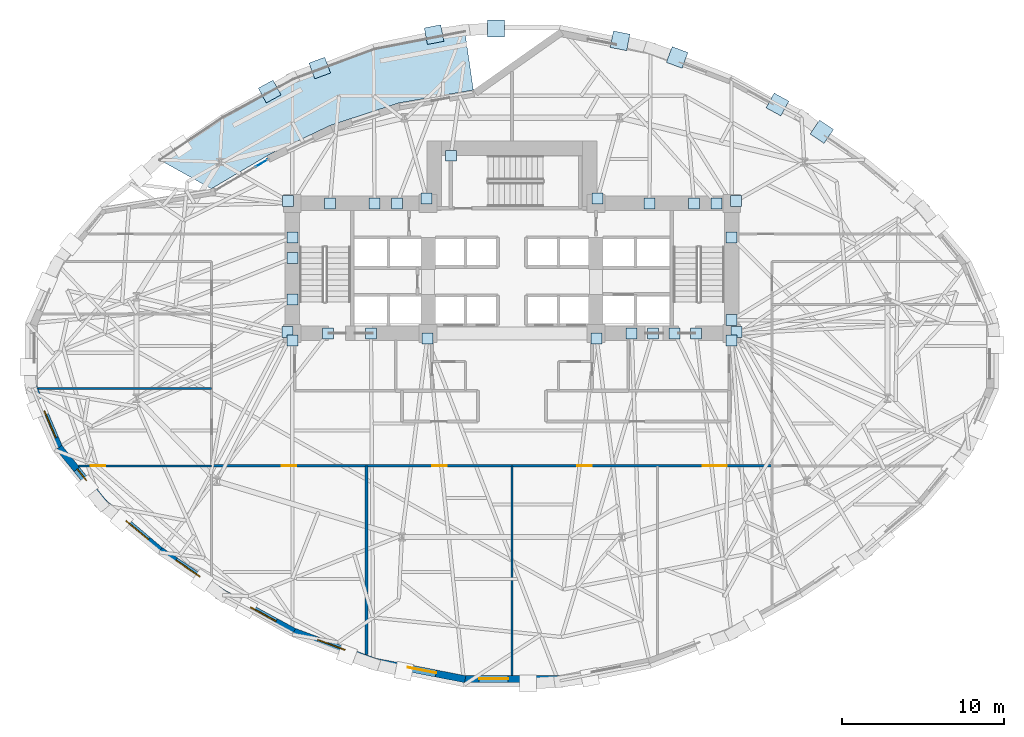
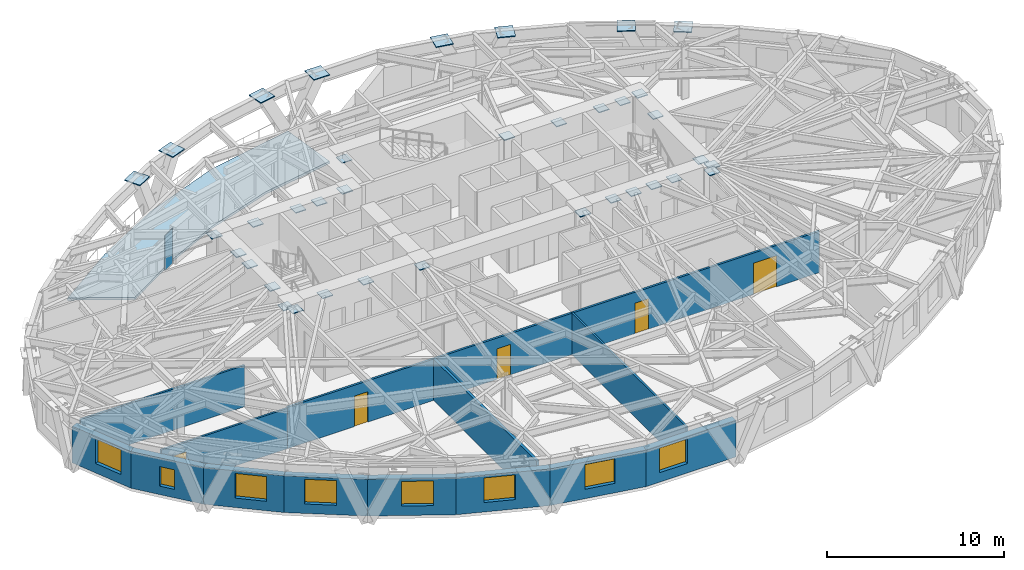
# One storey, part 9 of 17: 37 plates, 13 walls, 8 windows, 5 doors, 1 slab, 13 openings, 1 element without a shape of its own.
"""IFC4 building model written with IfcOpenShell, lengths in metres."""

from ifc_helpers import new_model, si_unit, direction, frame, frame_2d, origin, origin_2d, place, context, subcontext, project, spatial, polyline, rectangle, outline, extrude, material, layer, layer_set, type_object, element, fill, aggregate, save


model = new_model("IFC4")

# Units and contexts
model_context = context("Model", 3, precision=1e-05, world=origin(), true_north=direction((0.0, 1.0)))
body_context = subcontext(model_context, "Body", "Model", "MODEL_VIEW")
ifc_project = project(units=[si_unit("LENGTHUNIT", "METRE"), si_unit("AREAUNIT", "SQUARE_METRE"), si_unit("VOLUMEUNIT", "CUBIC_METRE"), si_unit("PLANEANGLEUNIT", "RADIAN"), si_unit("MASSUNIT", "GRAM", prefix="KILO")], contexts=[model_context])

# Site, building, storey
site_placement = place(None, origin())
site = spatial("IfcSite", under=ifc_project, at=site_placement, CompositionType="ELEMENT")
building_placement = place(site_placement, origin())
building = spatial("IfcBuilding", under=site, at=building_placement, Name="Keldmark Tower", CompositionType="ELEMENT")
storey_placement = place(building_placement, frame((0.0, 0.0, 70.199951171875)))
storey = spatial("IfcBuildingStorey", under=building, at=storey_placement, Name="L18", CompositionType="ELEMENT", Elevation=70.199951171875)

# Plates
ifc_material_1 = material(Name="Steel ASTM A572 Grade 50", Category="steel")
ifc_layer_1 = layer(ifc_material_1, 0.06005859375)
ifc_layer_set_1 = layer_set([ifc_layer_1], Name="Steel ASTM A572 Grade 50")
plate_type_1 = type_object("IfcPlateType", Name="Belt Truss Kink Node Assembly KN01 60 mm", PredefinedType="USERDEFINED", material=ifc_layer_set_1)
for number, where, z_axis, x_axis, name in (
    (1, (13.91162109375, 1.473388671875, 3.09814453125), (0.0, 0.0, 1.0), (1.0, 0.0, 0.0), "L18 Core Wall Cast-In Embed Plate 463"),
    (2, (13.878173828125, 9.608154296875, 3.09814453125), (0.0, 0.0, 1.0), (1.0, 0.0, 0.0), "L18 Core Wall Cast-In Embed Plate 464"),
    (3, (5.28515625, 9.758544921875, 3.09814453125), (0.0, 0.0, 1.0), (1.0, 0.0, 0.0), "L18 Core Wall Cast-In Embed Plate 465"),
    (4, (-5.28515625, 9.758544921875, 3.09814453125), (0.0, 0.0, 1.0), (1.0, 0.0, 0.0), "L18 Core Wall Cast-In Embed Plate 466"),
    (5, (-13.878173828125, 9.608154296875, 3.09814453125), (0.0, 0.0, 1.0), (1.0, 0.0, 0.0), "L18 Core Wall Cast-In Embed Plate 467"),
    (6, (-13.91162109375, 1.473388671875, 3.09814453125), (0.0, 0.0, 1.0), (1.0, 0.0, 0.0), "L18 Core Wall Cast-In Embed Plate 468"),
    (7, (-5.24072265625, 1.08251953125, 3.09814453125), (0.0, 0.0, 1.0), (1.0, 0.0, 0.0), "L18 Core Wall Cast-In Embed Plate 469"),
    (8, (5.24072265625, 1.08251953125, 3.09814453125), (0.0, 0.0, 1.0), (1.0, 0.0, 0.0), "L18 Core Wall Cast-In Embed Plate 470"),
    (9, (11.278564453125, 9.449951171875, 3.10400390625), (0.0, 0.0, 1.0), (1.0, 0.0, 0.0), "L18 Core Wall Cast-In Embed Plate 471"),
    (10, (-11.278564453125, 9.449951171875, 3.10400390625), (0.0, 0.0, 1.0), (1.0, 0.0, 0.0), "L18 Core Wall Cast-In Embed Plate 472"),
    (11, (13.60009765625, 2.228515625, 3.10400390625), (0.0, 0.0, 1.0), (1.0, 0.0, 0.0), "L18 Core Wall Cast-In Embed Plate 473"),
    (12, (-13.60009765625, 7.343017578125, 3.10400390625), (0.0, 0.0, 1.0), (1.0, 0.0, 0.0), "L18 Core Wall Cast-In Embed Plate 474"),
    (13, (13.60009765625, 0.949951171875, 3.10400390625), (0.0, 0.0, 1.0), (1.0, 0.0, 0.0), "L18 Core Wall Cast-In Embed Plate 475"),
    (14, (13.60009765625, 7.343017578125, 3.10400390625), (0.0, 0.0, 1.0), (1.0, 0.0, 0.0), "L18 Core Wall Cast-In Embed Plate 476"),
    (15, (8.507080078125, 9.449951171875, 3.10400390625), (0.0, 0.0, 1.0), (1.0, 0.0, 0.0), "L18 Core Wall Cast-In Embed Plate 477"),
    (16, (12.664306640625, 9.449951171875, 3.10400390625), (0.0, 0.0, 1.0), (1.0, 0.0, 0.0), "L18 Core Wall Cast-In Embed Plate 478"),
    (17, (-3.784912109375, 12.39990234375, 3.10400390625), (0.0, 0.0, 1.0), (1.0, 0.0, 0.0), "L18 Core Wall Cast-In Embed Plate 479"),
    (18, (-7.121337890625, 9.449951171875, 3.10400390625), (0.0, 0.0, 1.0), (1.0, 0.0, 0.0), "L18 Core Wall Cast-In Embed Plate 480"),
    (19, (-8.507080078125, 9.449951171875, 3.10400390625), (0.0, 0.0, 1.0), (1.0, 0.0, 0.0), "L18 Core Wall Cast-In Embed Plate 481"),
    (20, (-13.60009765625, 0.949951171875, 3.10400390625), (0.0, 0.0, 1.0), (1.0, 0.0, 0.0), "L18 Core Wall Cast-In Embed Plate 482"),
    (21, (-13.60009765625, 3.507080078125, 3.10400390625), (0.0, 0.0, 1.0), (1.0, 0.0, 0.0), "L18 Core Wall Cast-In Embed Plate 483"),
    (22, (-13.60009765625, 6.064208984375, 3.10400390625), (0.0, 0.0, 1.0), (1.0, 0.0, 0.0), "L18 Core Wall Cast-In Embed Plate 484"),
    (23, (-11.392822265625, 1.39990234375, 3.10400390625), (0.0, 0.0, 1.0), (1.0, 0.0, 0.0), "L18 Core Wall Cast-In Embed Plate 485"),
    (24, (8.735595703125, 1.39990234375, 3.10400390625), (0.0, 0.0, 1.0), (1.0, 0.0, 0.0), "L18 Core Wall Cast-In Embed Plate 486"),
    (25, (7.406982421875, 1.39990234375, 3.10400390625), (0.0, 0.0, 1.0), (1.0, 0.0, 0.0), "L18 Core Wall Cast-In Embed Plate 487"),
    (26, (11.392822265625, 1.39990234375, 3.10400390625), (0.0, 0.0, 1.0), (1.0, 0.0, 0.0), "L18 Core Wall Cast-In Embed Plate 488"),
    (27, (10.064208984375, 1.39990234375, 3.10400390625), (0.0, 0.0, 1.0), (1.0, 0.0, 0.0), "L18 Core Wall Cast-In Embed Plate 489"),
    (28, (-8.735595703125, 1.39990234375, 3.10400390625), (0.0, 0.0, 1.0), (1.0, 0.0, 0.0), "L18 Core Wall Cast-In Embed Plate 490"),
):
    element("IfcPlate", number, at=place(storey_placement, frame(where, z_axis=z_axis, x_axis=x_axis)), inside=storey, type_object=plate_type_1, Name=name, ObjectType="CAP PLATE", PredefinedType="USERDEFINED", context=body_context, shape_type="SweptSolid", body=[
        extrude(rectangle(XDim=0.679931640625, YDim=0.679931640625, at=origin_2d()), origin(), (0.0, 0.0, 1.0), 0.054931640625),
    ])
ifc_material_2 = material(Name="Steel ASTM A572 Grade 50", Category="steel")
ifc_layer_2 = layer(ifc_material_2, 0.06494140625)
ifc_layer_set_2 = layer_set([ifc_layer_2], Name="Steel ASTM A572 Grade 50")
plate_type_2 = type_object("IfcPlateType", Name="Diagrid Node Assembly DN02 65 mm", PredefinedType="USERDEFINED", material=ifc_layer_set_2)
for number, where, z_axis, x_axis, name in (
    (29, (19.180908203125, 13.884765625, 3.24755859375), (0.0, 0.0, 1.0), (-0.827668733006, 0.561216953062, 0.0), "L18 Diagrid Node Assembly 04"),
    (30, (16.43994140625, 15.572509765625, 3.24755859375), (0.0, 0.0, 1.0), (-0.878567152464, 0.477618842395, 0.0), "L18 Diagrid Node Assembly 05"),
    (31, (10.224365234375, 18.485595703125, 3.24755859375), (0.0, 0.0, 1.0), (-0.937403606985, 0.348244852958, 0.0), "L18 Diagrid Node Assembly 06"),
    (32, (6.690185546875, 19.51611328125, 3.24755859375), (0.0, 0.0, 1.0), (-0.981527141537, 0.191322947989, 0.0), "L18 Diagrid Node Assembly 07"),
    (33, (-0.990966796875, 20.28564453125, 3.24755859375), (0.0, 0.0, 1.0), (-1.0, 0.0, 0.0), "L18 Diagrid Node Assembly 08"),
    (34, (-4.825439453125, 19.899658203125, 3.24755859375), (0.0, 0.0, 1.0), (-0.981527141537, -0.191322947989, 0.0), "L18 Diagrid Node Assembly 09"),
    (35, (-11.904052734375, 17.832275390625, 3.24755859375), (0.0, 0.0, 1.0), (-0.937403606985, -0.348244852958, 0.0), "L18 Diagrid Node Assembly 10"),
    (36, (-15.006103515625, 16.376953125, 3.24755859375), (0.0, 0.0, 1.0), (-0.878567152464, -0.477618842395, 0.0), "L18 Diagrid Node Assembly 11"),
):
    element("IfcPlate", number, at=place(storey_placement, frame(where, z_axis=z_axis, x_axis=x_axis)), inside=storey, type_object=plate_type_2, Name=name, ObjectType="GUSSET", PredefinedType="USERDEFINED", context=body_context, shape_type="SweptSolid", body=[
        extrude(rectangle(XDim=1.0400390625, YDim=1.0400390625, at=origin_2d()), origin(), (0.0, 0.0, 1.0), 0.06494140625),
    ])

# Slab
ifc_material_3 = material(Name="Concrete C35/45", Category="concrete")
ifc_layer_3 = layer(ifc_material_3, 0.1650390625)
ifc_layer_set_3 = layer_set([ifc_layer_3], Name="Concrete C35/45")
slab_type = type_object("IfcSlabType", Name="Planted Sky-Garden Terrace Slab 165 mm", PredefinedType="ROOF", material=ifc_layer_set_3)
slab_placement = place(storey_placement, frame((0.0, 0.0, -0.1650390625)))
element("IfcSlab", 37, at=slab_placement, inside=storey, type_object=slab_type, Name="Planted Sky-Garden Terrace Slab", PredefinedType="ROOF", context=body_context, shape_type="SweptSolid", body=[
    extrude(outline(polyline([(-2.938720703125, 20.230712890625), (-8.560302734375, 19.13525390625), (-13.606201171875, 17.2607421875), (-18.0, 14.872314453125), (-21.932861328125, 12.205322265625), (-18.6123046875, 10.357421875), (-15.070556640625, 12.451904296875), (-11.25390625, 14.276611328125), (-7.008544921875, 15.66650390625), (-2.392333984375, 16.47021484375), (-2.938720703125, 20.230712890625)])), origin(), (0.0, 0.0, 1.0), 0.1650390625),
])

# Curtain wall, plate
ifc_material_4 = material(Name="Unitized Thermally Broken Aluminum and Triple Low-E Glazing", Category="aluminium")
ifc_layer_4 = layer(ifc_material_4, 0.219970703125)
ifc_layer_set_4 = layer_set([ifc_layer_4], Name="Unitized Thermally Broken Aluminum and Triple Low-E Glazing")
curtain_wall_type = type_object("IfcCurtainWallType", Name="Spiralling Sky-Garden Feature Curtain Wall System", PredefinedType="NOTDEFINED", material=ifc_layer_set_4)
curtain_wall_placement = place(storey_placement, origin())
curtain_wall = element("IfcCurtainWall", 38, at=curtain_wall_placement, inside=storey, type_object=curtain_wall_type, Name="L18 Spiralling Sky-Garden Feature Curtain Wall System CW-L18-12", PredefinedType="NOTDEFINED")
ifc_material_5 = material(Name="Triple Silver Low-E Insulated Glass Unit", Category="glass")
ifc_layer_5 = layer(ifc_material_5, 0.035888671875)
ifc_layer_set_5 = layer_set([ifc_layer_5], Name="Triple Silver Low-E Insulated Glass Unit")
plate_type_3 = type_object("IfcPlateType", Name="Triple Low-E Vision Glazing Panel 36 mm", PredefinedType="CURTAIN_PANEL", material=ifc_layer_set_5)
plate_placement = place(storey_placement, frame((-15.504638671875, 11.939453125, 0.06005859375), z_axis=(0.0, 0.0, 1.0), x_axis=(0.860793075916, 0.508955086875, 0.0)))
plate = element("IfcPlate", 39, at=plate_placement, type_object=plate_type_3, Name="CW panel 4.1", PredefinedType="CURTAIN_PANEL", context=body_context, shape_type="SweptSolid", body=[
    extrude(rectangle(XDim=0.86865234375, YDim=0.035888671875, at=origin_2d()), origin(), (0.0, 0.0, 1.0), 2.408935546875),
])
aggregate(curtain_wall, [plate])

# Wall, openings, doors
ifc_material_6 = material(Name="Acoustic Double-Layer Gypsum Corridor Partition", Category="gypsum")
ifc_layer_6 = layer(ifc_material_6, 0.139892578125)
ifc_layer_set_6 = layer_set([ifc_layer_6], Name="Acoustic Double-Layer Gypsum Corridor Partition")
wall_type_1 = type_object("IfcWallType", Name="Acoustic Corridor Partition 140 mm", PredefinedType="PARTITIONING", material=ifc_layer_set_6)
wall_1_placement = place(storey_placement, frame((-18.60009765625, -6.800048828125, 0.0), z_axis=(0.0, 0.0, 1.0), x_axis=(1.0, 0.0, 0.0)))
wall_1 = element("IfcWall", 40, at=wall_1_placement, inside=storey, type_object=wall_type_1, Name="L18 Acoustic Corridor Partition 140 mm COR-S", PredefinedType="PARTITIONING", context=body_context, shape_type="SweptSolid", body=[
    extrude(rectangle(XDim=34.7001953125, YDim=0.139892578125, at=frame_2d((17.35009765625, 0.0))), origin(), (0.0, 0.0, 1.0), 2.85302734375),
])
opening_1_placement = place(wall_1_placement, frame((4.35009765625, 0.0, 0.0)))
opening_1 = element("IfcOpeningElement", 41, at=opening_1_placement, cuts=wall_1, Name="Opening D-IN090", PredefinedType="OPENING", context=body_context, shape_type="SweptSolid", body=[
    extrude(rectangle(XDim=0.89990234375, YDim=2.10009765625, at=frame_2d((0.449951171875, 1.050048828125))), frame((0.0, 0.079833984375, 0.0), z_axis=(0.0, -1.0, 0.0), x_axis=(1.0, 0.0, 0.0)), (0.0, 0.0, 1.0), 0.159912109375),
])
opening_2_placement = place(wall_1_placement, frame((13.64990234375, 0.0, 0.0)))
opening_2 = element("IfcOpeningElement", 42, at=opening_2_placement, cuts=wall_1, Name="Opening D-IN090", PredefinedType="OPENING", context=body_context, shape_type="SweptSolid", body=[
    extrude(rectangle(XDim=0.89990234375, YDim=2.10009765625, at=frame_2d((0.449951171875, 1.050048828125))), frame((0.0, 0.079833984375, 0.0), z_axis=(0.0, -1.0, 0.0), x_axis=(1.0, 0.0, 0.0)), (0.0, 0.0, 1.0), 0.159912109375),
])
opening_3_placement = place(wall_1_placement, frame((22.64990234375, 0.0, 0.0)))
opening_3 = element("IfcOpeningElement", 43, at=opening_3_placement, cuts=wall_1, Name="Opening D-IN090", PredefinedType="OPENING", context=body_context, shape_type="SweptSolid", body=[
    extrude(rectangle(XDim=0.89990234375, YDim=2.10009765625, at=frame_2d((0.449951171875, 1.050048828125))), frame((0.0, 0.079833984375, 0.0), z_axis=(0.0, -1.0, 0.0), x_axis=(1.0, 0.0, 0.0)), (0.0, 0.0, 1.0), 0.159912109375),
])
opening_4_placement = place(wall_1_placement, frame((30.39990234375, 0.0, 0.0)))
opening_4 = element("IfcOpeningElement", 44, at=opening_4_placement, cuts=wall_1, Name="Opening D-CF150", PredefinedType="OPENING", context=body_context, shape_type="SweptSolid", body=[
    extrude(rectangle(XDim=1.5, YDim=2.14990234375, at=frame_2d((0.75, 1.074951171875))), frame((0.0, 0.079833984375, 0.0), z_axis=(0.0, -1.0, 0.0), x_axis=(1.0, 0.0, 0.0)), (0.0, 0.0, 1.0), 0.159912109375),
])
ifc_material_7 = material(Name="Acoustic Timber and Tempered Glass Double Door", Category="wood")
door_type_1 = type_object("IfcDoorType", Name="Conference Double Door 1500x2150", OperationType="DOUBLE_DOOR_SINGLE_SWING", PredefinedType="DOOR", material=ifc_material_7)
door_1_placement = place(opening_4_placement, origin())
door_1 = element("IfcDoor", 45, at=door_1_placement, inside=storey, type_object=door_type_1, Name="L18 Conference Double Door 1500x2150 D-SR-4-L18", OperationType="DOUBLE_DOOR_SINGLE_SWING", OverallHeight=2.14990234375, OverallWidth=1.5, PredefinedType="DOOR", context=body_context, shape_type="SweptSolid", body=[
    extrude(rectangle(XDim=1.5, YDim=2.14990234375, at=frame_2d((0.75, 1.074951171875))), frame((0.0, 0.02490234375, 0.0), z_axis=(0.0, -1.0, 0.0), x_axis=(1.0, 0.0, 0.0)), (0.0, 0.0, 1.0), 0.050048828125),
])
fill(opening_4, door_1)
ifc_material_8 = material(Name="Stained American White Oak Veneer", Category="wood")
door_type_2 = type_object("IfcDoorType", Name="Interior Door 900x2100", OperationType="NOTDEFINED", PredefinedType="DOOR", material=ifc_material_8)
door_2_placement = place(opening_1_placement, origin())
door_2 = element("IfcDoor", 46, at=door_2_placement, inside=storey, type_object=door_type_2, Name="L18 Interior Door 900x2100 D-SR-1-L18", OperationType="SINGLE_SWING_LEFT", OverallHeight=2.10009765625, OverallWidth=0.89990234375, PredefinedType="DOOR", context=body_context, shape_type="SweptSolid", body=[
    extrude(rectangle(XDim=0.89990234375, YDim=2.10009765625, at=frame_2d((0.449951171875, 1.050048828125))), frame((0.0, 0.02490234375, 0.0), z_axis=(0.0, -1.0, 0.0), x_axis=(1.0, 0.0, 0.0)), (0.0, 0.0, 1.0), 0.050048828125),
])
fill(opening_1, door_2)
door_3_placement = place(opening_2_placement, origin())
door_3 = element("IfcDoor", 47, at=door_3_placement, inside=storey, type_object=door_type_2, Name="L18 Interior Door 900x2100 D-SR-2-L18", OperationType="SINGLE_SWING_RIGHT", OverallHeight=2.10009765625, OverallWidth=0.89990234375, PredefinedType="DOOR", context=body_context, shape_type="SweptSolid", body=[
    extrude(rectangle(XDim=0.89990234375, YDim=2.10009765625, at=frame_2d((0.449951171875, 1.050048828125))), frame((0.0, 0.02490234375, 0.0), z_axis=(0.0, -1.0, 0.0), x_axis=(1.0, 0.0, 0.0)), (0.0, 0.0, 1.0), 0.050048828125),
])
fill(opening_2, door_3)
door_4_placement = place(opening_3_placement, origin())
door_4 = element("IfcDoor", 48, at=door_4_placement, inside=storey, type_object=door_type_2, Name="L18 Interior Door 900x2100 D-SR-3-L18", OperationType="SINGLE_SWING_LEFT", OverallHeight=2.10009765625, OverallWidth=0.89990234375, PredefinedType="DOOR", context=body_context, shape_type="SweptSolid", body=[
    extrude(rectangle(XDim=0.89990234375, YDim=2.10009765625, at=frame_2d((0.449951171875, 1.050048828125))), frame((0.0, 0.02490234375, 0.0), z_axis=(0.0, -1.0, 0.0), x_axis=(1.0, 0.0, 0.0)), (0.0, 0.0, 1.0), 0.050048828125),
])
fill(opening_3, door_4)

# Walls
ifc_material_9 = material(Name="STC-58 Insulated Tenant Demising Gypsum Partition", Category="gypsum")
ifc_layer_7 = layer(ifc_material_9, 0.175048828125)
ifc_layer_set_7 = layer_set([ifc_layer_7], Name="STC-58 Insulated Tenant Demising Gypsum Partition")
wall_type_2 = type_object("IfcWallType", Name="Demising Suite Partition 175 mm", PredefinedType="PARTITIONING", material=ifc_layer_set_7)
wall_2_placement = place(storey_placement, frame((-9.0, -18.493896484375, 0.0), z_axis=(0.0, 0.0, 1.0), x_axis=(0.0, 1.0, 0.0)))
element("IfcWall", 49, at=wall_2_placement, inside=storey, type_object=wall_type_2, Name="L18 Demising Suite Partition 175 mm S-DIV-1", PredefinedType="PARTITIONING", context=body_context, shape_type="SweptSolid", body=[
    extrude(rectangle(XDim=11.69384765625, YDim=0.175048828125, at=frame_2d((5.846923828125, 0.0))), origin(), (0.0, 0.0, 1.0), 2.85302734375),
])
ifc_material_10 = material(Name="Acoustic Gypsum Board Interior Partition", Category="gypsum")
ifc_layer_8 = layer(ifc_material_10, 0.1298828125)
ifc_layer_set_8 = layer_set([ifc_layer_8], Name="Acoustic Gypsum Board Interior Partition")
wall_type_3 = type_object("IfcWallType", Name="Interior Partition 130 mm", PredefinedType="PARTITIONING", material=ifc_layer_set_8)
wall_3_placement = place(storey_placement, frame((0.0, -19.78271484375, 0.0), z_axis=(0.0, 0.0, 1.0), x_axis=(0.0, 1.0, 0.0)))
element("IfcWall", 50, at=wall_3_placement, inside=storey, type_object=wall_type_3, Name="L18 Interior Partition 130 mm S-DIV-2", PredefinedType="PARTITIONING", context=body_context, shape_type="SweptSolid", body=[
    extrude(rectangle(XDim=12.982666015625, YDim=0.1298828125, at=frame_2d((6.4912109375, 0.0))), origin(), (0.0, 0.0, 1.0), 2.85302734375),
])

# Wall, opening, door
wall_4_placement = place(storey_placement, frame((-26.839599609375, -6.800048828125, 0.0), z_axis=(0.0, 0.0, 1.0), x_axis=(1.0, 0.0, 0.0)))
wall_4 = element("IfcWall", 51, at=wall_4_placement, inside=storey, type_object=wall_type_3, Name="L18 Interior Partition 130 mm W-CAP-S", PredefinedType="PARTITIONING", context=body_context, shape_type="SweptSolid", body=[
    extrude(rectangle(XDim=8.239501953125, YDim=0.1298828125, at=frame_2d((4.11962890625, 0.0))), origin(), (0.0, 0.0, 1.0), 2.779052734375),
])
opening_5_placement = place(wall_4_placement, frame((0.75, 0.0, 0.0)))
opening_5 = element("IfcOpeningElement", 52, at=opening_5_placement, cuts=wall_4, Name="Opening D-IN090", PredefinedType="OPENING", context=body_context, shape_type="SweptSolid", body=[
    extrude(rectangle(XDim=0.89990234375, YDim=2.10009765625, at=frame_2d((0.449951171875, 1.050048828125))), frame((0.0, 0.074951171875, 0.0), z_axis=(0.0, -1.0, 0.0), x_axis=(1.0, 0.0, 0.0)), (0.0, 0.0, 1.0), 0.14990234375),
])
door_5_placement = place(opening_5_placement, origin())
door_5 = element("IfcDoor", 53, at=door_5_placement, inside=storey, type_object=door_type_2, Name="L18 Interior Door 900x2100 D-WRSW-L18", OperationType="SINGLE_SWING_LEFT", OverallHeight=2.10009765625, OverallWidth=0.89990234375, PredefinedType="DOOR", context=body_context, shape_type="SweptSolid", body=[
    extrude(rectangle(XDim=0.89990234375, YDim=2.10009765625, at=frame_2d((0.449951171875, 1.050048828125))), frame((0.0, 0.02490234375, 0.0), z_axis=(0.0, -1.0, 0.0), x_axis=(1.0, 0.0, 0.0)), (0.0, 0.0, 1.0), 0.050048828125),
])
fill(opening_5, door_5)

# Wall
wall_5_placement = place(storey_placement, frame((-29.345703125, -2.0, 0.0), z_axis=(0.0, 0.0, 1.0), x_axis=(1.0, 0.0, 0.0)))
element("IfcWall", 54, at=wall_5_placement, inside=storey, type_object=wall_type_3, Name="L18 Interior Partition 130 mm W-DIV-1", PredefinedType="PARTITIONING", context=body_context, shape_type="SweptSolid", body=[
    extrude(rectangle(XDim=10.74560546875, YDim=0.1298828125, at=frame_2d((5.372802734375, 0.0))), origin(), (0.0, 0.0, 1.0), 2.841064453125),
])

# Wall, opening, window
ifc_material_11 = material(Name="Ironspot Manganese Brick and Kasota Buff Limestone Spandrel Assembly", Category="masonry")
ifc_layer_9 = layer(ifc_material_11, 0.43994140625)
ifc_layer_set_9 = layer_set([ifc_layer_9], Name="Ironspot Manganese Brick and Kasota Buff Limestone Spandrel Assembly")
wall_type_4 = type_object("IfcWallType", Name="Tower Brick Pier and Spandrel Wall 440 mm", PredefinedType="STANDARD", material=ifc_layer_set_9)
wall_6_placement = place(storey_placement, frame((-28.017333984375, -5.71875, 0.0), z_axis=(0.0, 0.0, 1.0), x_axis=(-0.39024393086, 0.92071150445, 0.0)))
wall_6 = element("IfcWall", 55, at=wall_6_placement, inside=storey, type_object=wall_type_4, Name="L18 Exterior Brick and Spandrel Wall 17", PredefinedType="STANDARD", context=body_context, shape_type="SweptSolid", body=[
    extrude(rectangle(XDim=4.140380859375, YDim=0.43994140625, at=frame_2d((2.0703125, 0.0))), origin(), (0.0, 0.0, 1.0), 2.529052734375),
])
opening_6_placement = place(wall_6_placement, frame((0.697509765625, 0.0, 0.64990234375)))
opening_6 = element("IfcOpeningElement", 56, at=opening_6_placement, cuts=wall_6, Name="Opening W-02", PredefinedType="OPENING", context=body_context, shape_type="SweptSolid", body=[
    extrude(rectangle(XDim=1.800048828125, YDim=1.699951171875, at=frame_2d((0.89990234375, 0.85009765625))), frame((0.0, 0.22998046875, 0.0), z_axis=(0.0, -1.0, 0.0), x_axis=(1.0, 0.0, 0.0)), (0.0, 0.0, 1.0), 0.4599609375),
])
ifc_material_12 = material(Name="Thermally Broken Anodized Aluminum and Triple Low-E Argon Glazing", Category="aluminium")
window_type_1 = type_object("IfcWindowType", Name="Office Deep-Set Triple Window 1800x1700", PartitioningType="TRIPLE_PANEL_VERTICAL", PredefinedType="WINDOW", material=ifc_material_12)
window_1_placement = place(opening_6_placement, origin())
window_1 = element("IfcWindow", 57, at=window_1_placement, inside=storey, type_object=window_type_1, Name="L18 Deep-Set Window 17", OverallHeight=1.699951171875, OverallWidth=1.800048828125, PartitioningType="SINGLE_PANEL", PredefinedType="WINDOW", context=body_context, shape_type="SweptSolid", body=[
    extrude(rectangle(XDim=1.800048828125, YDim=1.699951171875, at=frame_2d((0.89990234375, 0.85009765625))), frame((0.0, -0.010009765625, 0.0), z_axis=(0.0, -1.0, 0.0), x_axis=(1.0, 0.0, 0.0)), (0.0, 0.0, 1.0), 0.06005859375),
])
fill(opening_6, window_1)

wall_7_placement = place(storey_placement, frame((-25.284423828125, -9.087890625, 0.0), z_axis=(0.0, 0.0, 1.0), x_axis=(-0.628444327975, 0.777854566507, 0.0)))
wall_7 = element("IfcWall", 58, at=wall_7_placement, inside=storey, type_object=wall_type_4, Name="L18 Exterior Brick and Spandrel Wall 18", PredefinedType="STANDARD", context=body_context, shape_type="SweptSolid", body=[
    extrude(rectangle(XDim=4.39892578125, YDim=0.43994140625, at=frame_2d((2.199462890625, 0.0))), origin(), (0.0, 0.0, 1.0), 2.529052734375),
])
opening_7_placement = place(wall_7_placement, frame((1.74951171875, 0.0, 0.580078125)))
opening_7 = element("IfcOpeningElement", 59, at=opening_7_placement, cuts=wall_7, Name="Opening W-09", PredefinedType="OPENING", context=body_context, shape_type="SweptSolid", body=[
    extrude(rectangle(XDim=0.89990234375, YDim=1.35009765625, at=frame_2d((0.449951171875, 0.675048828125))), frame((0.0, 0.22998046875, 0.0), z_axis=(0.0, -1.0, 0.0), x_axis=(1.0, 0.0, 0.0)), (0.0, 0.0, 1.0), 0.4599609375),
])
ifc_material_13 = material(Name="Thermally Broken Anodized Aluminum and Triple Low-E Argon Glazing", Category="aluminium")
window_type_2 = type_object("IfcWindowType", Name="Corner Pier Deep-Set Window 900x1350", PartitioningType="SINGLE_PANEL", PredefinedType="WINDOW", material=ifc_material_13)
window_2_placement = place(opening_7_placement, origin())
window_2 = element("IfcWindow", 60, at=window_2_placement, inside=storey, type_object=window_type_2, Name="L18 Deep-Set Window 18", OverallHeight=1.35009765625, OverallWidth=0.89990234375, PartitioningType="SINGLE_PANEL", PredefinedType="WINDOW", context=body_context, shape_type="SweptSolid", body=[
    extrude(rectangle(XDim=0.89990234375, YDim=1.35009765625, at=frame_2d((0.449951171875, 0.675048828125))), frame((0.0, -0.010009765625, 0.0), z_axis=(0.0, -1.0, 0.0), x_axis=(1.0, 0.0, 0.0)), (0.0, 0.0, 1.0), 0.06005859375),
])
fill(opening_7, window_2)

wall_8_placement = place(storey_placement, frame((-21.790771484375, -12.037353515625, 0.0), z_axis=(0.0, 0.0, 1.0), x_axis=(-0.763546839071, 0.645752448346, 0.0)))
wall_8 = element("IfcWall", 61, at=wall_8_placement, inside=storey, type_object=wall_type_4, Name="L18 Exterior Brick and Spandrel Wall 19", PredefinedType="STANDARD", context=body_context, shape_type="SweptSolid", body=[
    extrude(rectangle(XDim=4.613525390625, YDim=0.43994140625, at=frame_2d((2.306640625, 0.0))), origin(), (0.0, 0.0, 1.0), 2.529052734375),
])
opening_8_placement = place(wall_8_placement, frame((0.988037109375, 0.0, 0.64990234375)))
opening_8 = element("IfcOpeningElement", 62, at=opening_8_placement, cuts=wall_8, Name="Opening W-02", PredefinedType="OPENING", context=body_context, shape_type="SweptSolid", body=[
    extrude(rectangle(XDim=1.800048828125, YDim=1.699951171875, at=frame_2d((0.89990234375, 0.85009765625))), frame((0.0, 0.22998046875, 0.0), z_axis=(0.0, -1.0, 0.0), x_axis=(1.0, 0.0, 0.0)), (0.0, 0.0, 1.0), 0.4599609375),
])
window_3_placement = place(opening_8_placement, origin())
window_3 = element("IfcWindow", 63, at=window_3_placement, inside=storey, type_object=window_type_1, Name="L18 Deep-Set Window 19", OverallHeight=1.699951171875, OverallWidth=1.800048828125, PartitioningType="SINGLE_PANEL", PredefinedType="WINDOW", context=body_context, shape_type="SweptSolid", body=[
    extrude(rectangle(XDim=1.800048828125, YDim=1.699951171875, at=frame_2d((0.89990234375, 0.85009765625))), frame((0.0, -0.010009765625, 0.0), z_axis=(0.0, -1.0, 0.0), x_axis=(1.0, 0.0, 0.0)), (0.0, 0.0, 1.0), 0.06005859375),
])
fill(opening_8, window_3)

wall_9_placement = place(storey_placement, frame((-17.87646484375, -14.690185546875, 0.0), z_axis=(0.0, 0.0, 1.0), x_axis=(-0.827645395623, 0.561251368911, 0.0)))
wall_9 = element("IfcWall", 64, at=wall_9_placement, inside=storey, type_object=wall_type_4, Name="L18 Exterior Brick and Spandrel Wall 20", PredefinedType="STANDARD", context=body_context, shape_type="SweptSolid", body=[
    extrude(rectangle(XDim=4.751953125, YDim=0.43994140625, at=frame_2d((2.3759765625, 0.0))), origin(), (0.0, 0.0, 1.0), 2.529052734375),
])
opening_9_placement = place(wall_9_placement, frame((1.7705078125, 0.0, 0.64990234375)))
opening_9 = element("IfcOpeningElement", 65, at=opening_9_placement, cuts=wall_9, Name="Opening W-02", PredefinedType="OPENING", context=body_context, shape_type="SweptSolid", body=[
    extrude(rectangle(XDim=1.800048828125, YDim=1.699951171875, at=frame_2d((0.89990234375, 0.85009765625))), frame((0.0, 0.22998046875, 0.0), z_axis=(0.0, -1.0, 0.0), x_axis=(1.0, 0.0, 0.0)), (0.0, 0.0, 1.0), 0.4599609375),
])
window_4_placement = place(opening_9_placement, origin())
window_4 = element("IfcWindow", 66, at=window_4_placement, inside=storey, type_object=window_type_1, Name="L18 Deep-Set Window 20", OverallHeight=1.699951171875, OverallWidth=1.800048828125, PartitioningType="SINGLE_PANEL", PredefinedType="WINDOW", context=body_context, shape_type="SweptSolid", body=[
    extrude(rectangle(XDim=1.800048828125, YDim=1.699951171875, at=frame_2d((0.89990234375, 0.85009765625))), frame((0.0, -0.010009765625, 0.0), z_axis=(0.0, -1.0, 0.0), x_axis=(1.0, 0.0, 0.0)), (0.0, 0.0, 1.0), 0.06005859375),
])
fill(opening_9, window_4)

wall_10_placement = place(storey_placement, frame((-13.501220703125, -17.0673828125, 0.0), z_axis=(0.0, 0.0, 1.0), x_axis=(-0.878571961318, 0.477609996531, 0.0)))
wall_10 = element("IfcWall", 67, at=wall_10_placement, inside=storey, type_object=wall_type_4, Name="L18 Exterior Brick and Spandrel Wall 21", PredefinedType="STANDARD", context=body_context, shape_type="SweptSolid", body=[
    extrude(rectangle(XDim=5.000732421875, YDim=0.43994140625, at=frame_2d((2.50048828125, 0.0))), origin(), (0.0, 0.0, 1.0), 2.529052734375),
])
opening_10_placement = place(wall_10_placement, frame((1.281005859375, 0.0, 0.64990234375)))
opening_10 = element("IfcOpeningElement", 68, at=opening_10_placement, cuts=wall_10, Name="Opening W-02", PredefinedType="OPENING", context=body_context, shape_type="SweptSolid", body=[
    extrude(rectangle(XDim=1.800048828125, YDim=1.699951171875, at=frame_2d((0.89990234375, 0.85009765625))), frame((0.0, 0.22998046875, 0.0), z_axis=(0.0, -1.0, 0.0), x_axis=(1.0, 0.0, 0.0)), (0.0, 0.0, 1.0), 0.4599609375),
])
window_5_placement = place(opening_10_placement, origin())
window_5 = element("IfcWindow", 69, at=window_5_placement, inside=storey, type_object=window_type_1, Name="L18 Deep-Set Window 21", OverallHeight=1.699951171875, OverallWidth=1.800048828125, PartitioningType="SINGLE_PANEL", PredefinedType="WINDOW", context=body_context, shape_type="SweptSolid", body=[
    extrude(rectangle(XDim=1.800048828125, YDim=1.699951171875, at=frame_2d((0.89990234375, 0.85009765625))), frame((0.0, -0.010009765625, 0.0), z_axis=(0.0, -1.0, 0.0), x_axis=(1.0, 0.0, 0.0)), (0.0, 0.0, 1.0), 0.06005859375),
])
fill(opening_10, window_5)

wall_11_placement = place(storey_placement, frame((-8.48388671875, -18.928955078125, 0.0), z_axis=(0.0, 0.0, 1.0), x_axis=(-0.93742061918, 0.348199056195, 0.0)))
wall_11 = element("IfcWall", 70, at=wall_11_placement, inside=storey, type_object=wall_type_4, Name="L18 Exterior Brick and Spandrel Wall 22", PredefinedType="STANDARD", context=body_context, shape_type="SweptSolid", body=[
    extrude(rectangle(XDim=5.3828125, YDim=0.43994140625, at=frame_2d((2.69140625, 0.0))), origin(), (0.0, 0.0, 1.0), 2.529052734375),
])
opening_11_placement = place(wall_11_placement, frame((1.990234375, 0.0, 0.64990234375)))
opening_11 = element("IfcOpeningElement", 71, at=opening_11_placement, cuts=wall_11, Name="Opening W-02", PredefinedType="OPENING", context=body_context, shape_type="SweptSolid", body=[
    extrude(rectangle(XDim=1.800048828125, YDim=1.699951171875, at=frame_2d((0.89990234375, 0.85009765625))), frame((0.0, 0.22998046875, 0.0), z_axis=(0.0, -1.0, 0.0), x_axis=(1.0, 0.0, 0.0)), (0.0, 0.0, 1.0), 0.4599609375),
])
window_6_placement = place(opening_11_placement, origin())
window_6 = element("IfcWindow", 72, at=window_6_placement, inside=storey, type_object=window_type_1, Name="L18 Deep-Set Window 22", OverallHeight=1.699951171875, OverallWidth=1.800048828125, PartitioningType="SINGLE_PANEL", PredefinedType="WINDOW", context=body_context, shape_type="SweptSolid", body=[
    extrude(rectangle(XDim=1.800048828125, YDim=1.699951171875, at=frame_2d((0.89990234375, 0.85009765625))), frame((0.0, -0.010009765625, 0.0), z_axis=(0.0, -1.0, 0.0), x_axis=(1.0, 0.0, 0.0)), (0.0, 0.0, 1.0), 0.06005859375),
])
fill(opening_11, window_6)

wall_12_placement = place(storey_placement, frame((-2.896484375, -20.014892578125, 0.0), z_axis=(0.0, 0.0, 1.0), x_axis=(-0.981531216559, 0.191302041079, 0.0)))
wall_12 = element("IfcWall", 73, at=wall_12_placement, inside=storey, type_object=wall_type_4, Name="L18 Exterior Brick and Spandrel Wall 23", PredefinedType="STANDARD", context=body_context, shape_type="SweptSolid", body=[
    extrude(rectangle(XDim=5.7275390625, YDim=0.43994140625, at=frame_2d((2.86376953125, 0.0))), origin(), (0.0, 0.0, 1.0), 2.529052734375),
])
opening_12_placement = place(wall_12_placement, frame((1.839599609375, 0.0, 0.64990234375)))
opening_12 = element("IfcOpeningElement", 74, at=opening_12_placement, cuts=wall_12, Name="Opening W-02", PredefinedType="OPENING", context=body_context, shape_type="SweptSolid", body=[
    extrude(rectangle(XDim=1.800048828125, YDim=1.699951171875, at=frame_2d((0.89990234375, 0.85009765625))), frame((0.0, 0.22998046875, 0.0), z_axis=(0.0, -1.0, 0.0), x_axis=(1.0, 0.0, 0.0)), (0.0, 0.0, 1.0), 0.4599609375),
])
window_7_placement = place(opening_12_placement, origin())
window_7 = element("IfcWindow", 75, at=window_7_placement, inside=storey, type_object=window_type_1, Name="L18 Deep-Set Window 23", OverallHeight=1.699951171875, OverallWidth=1.800048828125, PartitioningType="SINGLE_PANEL", PredefinedType="WINDOW", context=body_context, shape_type="SweptSolid", body=[
    extrude(rectangle(XDim=1.800048828125, YDim=1.699951171875, at=frame_2d((0.89990234375, 0.85009765625))), frame((0.0, -0.010009765625, 0.0), z_axis=(0.0, -1.0, 0.0), x_axis=(1.0, 0.0, 0.0)), (0.0, 0.0, 1.0), 0.06005859375),
])
fill(opening_12, window_7)

wall_13_placement = place(storey_placement, frame((2.938720703125, -20.0107421875, 0.0), z_axis=(0.0, 0.0, 1.0), x_axis=(-1.0, 0.0, 0.0)))
wall_13 = element("IfcWall", 76, at=wall_13_placement, inside=storey, type_object=wall_type_4, Name="L18 Exterior Brick and Spandrel Wall 24", PredefinedType="STANDARD", context=body_context, shape_type="SweptSolid", body=[
    extrude(rectangle(XDim=5.87744140625, YDim=0.43994140625, at=frame_2d((2.938720703125, 0.0))), origin(), (0.0, 0.0, 1.0), 2.529052734375),
])
opening_13_placement = place(wall_13_placement, frame((3.181396484375, 0.0, 0.64990234375)))
opening_13 = element("IfcOpeningElement", 77, at=opening_13_placement, cuts=wall_13, Name="Opening W-02", PredefinedType="OPENING", context=body_context, shape_type="SweptSolid", body=[
    extrude(rectangle(XDim=1.800048828125, YDim=1.699951171875, at=frame_2d((0.89990234375, 0.85009765625))), frame((0.0, 0.22998046875, 0.0), z_axis=(0.0, -1.0, 0.0), x_axis=(1.0, 0.0, 0.0)), (0.0, 0.0, 1.0), 0.4599609375),
])
window_8_placement = place(opening_13_placement, origin())
window_8 = element("IfcWindow", 78, at=window_8_placement, inside=storey, type_object=window_type_1, Name="L18 Deep-Set Window 24", OverallHeight=1.699951171875, OverallWidth=1.800048828125, PartitioningType="SINGLE_PANEL", PredefinedType="WINDOW", context=body_context, shape_type="SweptSolid", body=[
    extrude(rectangle(XDim=1.800048828125, YDim=1.699951171875, at=frame_2d((0.89990234375, 0.85009765625))), frame((0.0, -0.010009765625, 0.0), z_axis=(0.0, -1.0, 0.0), x_axis=(1.0, 0.0, 0.0)), (0.0, 0.0, 1.0), 0.06005859375),
])
fill(opening_13, window_8)

save(model, "model.ifc")
